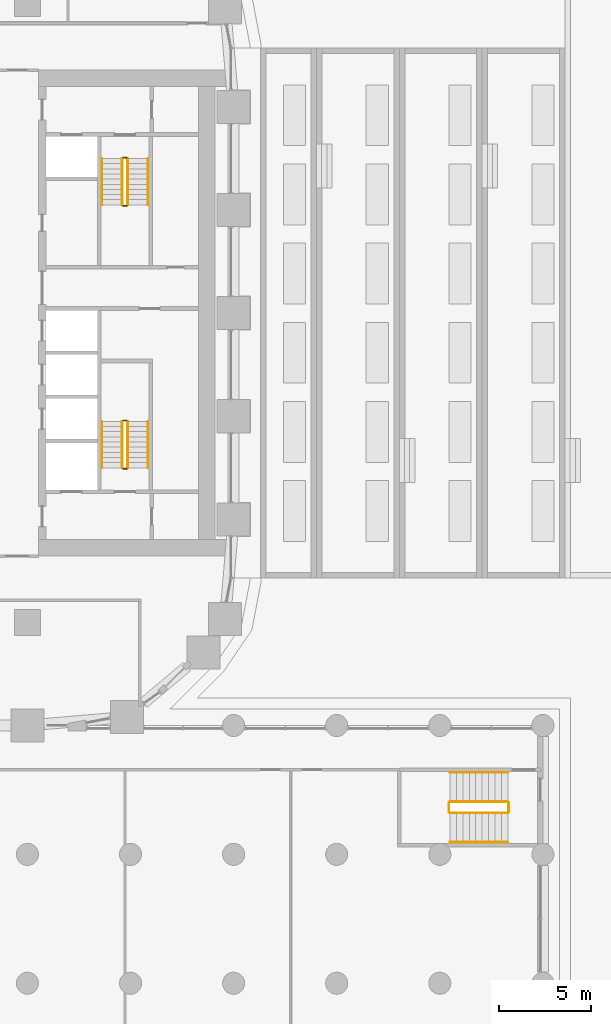
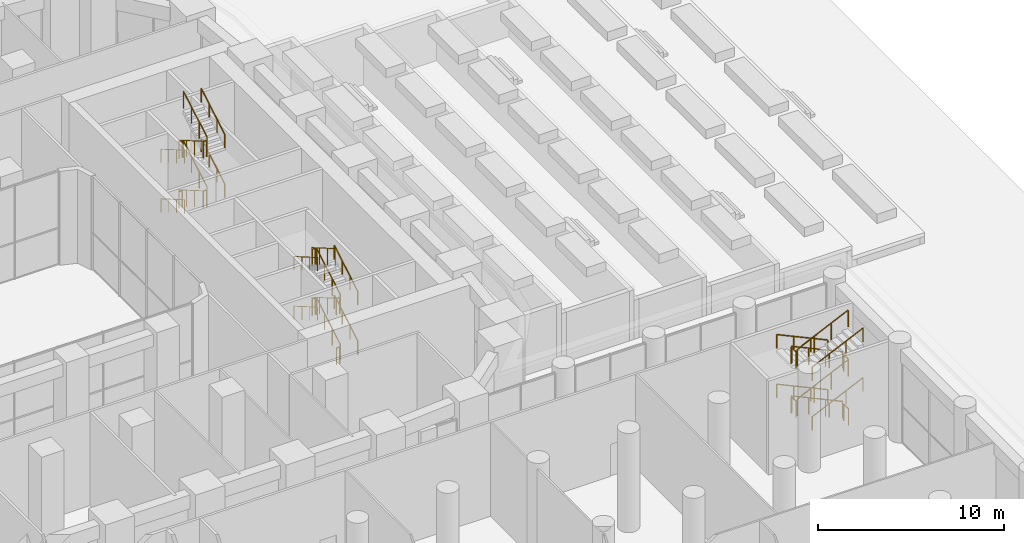
# One storey, part 50 of 51: 36 railings.
"""IFC4 building model written with IfcOpenShell, lengths in metres."""

from ifc_helpers import new_model, si_unit, direction, frame, origin, origin_2d, place, context, subcontext, project, spatial, circle, extrude, material, type_object, element, save


model = new_model("IFC4")

# Units and contexts
model_context = context("Model", 3, precision=1e-05, world=origin(), true_north=direction((0.0, 1.0)))
body_context = subcontext(model_context, "Body", "Model", "MODEL_VIEW")
ifc_project = project(units=[si_unit("LENGTHUNIT", "METRE"), si_unit("AREAUNIT", "SQUARE_METRE"), si_unit("VOLUMEUNIT", "CUBIC_METRE"), si_unit("PLANEANGLEUNIT", "RADIAN"), si_unit("MASSUNIT", "GRAM", prefix="KILO")], contexts=[model_context])

# Site, building, storey
site_placement = place(None, origin())
site = spatial("IfcSite", under=ifc_project, at=site_placement, CompositionType="ELEMENT")
building_placement = place(site_placement, origin())
building = spatial("IfcBuilding", under=site, at=building_placement, Name="Kiln Ring Residences", CompositionType="ELEMENT")
storey_placement = place(building_placement, origin())
storey = spatial("IfcBuildingStorey", under=building, at=storey_placement, Name="L00", CompositionType="ELEMENT", Elevation=0.0)

# Railings
ifc_material_1 = material(Name="Stainless steel", Category="steel")
railing_type_1 = type_object("IfcRailingType", Name="CORE-STAIR-GUARD", PredefinedType="GUARDRAIL", material=ifc_material_1)
railing_1_placement = place(storey_placement, frame((21.949951171875, 8.39990234375, 0.16259765625)))
element("IfcRailing", 1, at=railing_1_placement, inside=storey, type_object=railing_type_1, Name="L00 E-STN stair guard 1", PredefinedType="GUARDRAIL", context=body_context, shape_type="SweptSolid", body=[
    extrude(circle(Radius=0.02392578125, at=origin_2d()), frame((0.0, 0.0, 1.076171875), z_axis=(0.0, -0.864913338283, 0.50192122615), x_axis=(1.0, 0.0, 0.0)), (0.0, 0.0, 1.0), 2.91357421875),
    extrude(circle(Radius=0.02099609375, at=origin_2d()), origin(), (0.0, 0.0, 1.0), 1.052001953125),
    extrude(circle(Radius=0.02099609375, at=origin_2d()), frame((0.0, -0.840087890625, 0.487548828125)), (0.0, 0.0, 1.0), 1.052001953125),
    extrude(circle(Radius=0.02099609375, at=origin_2d()), frame((0.0, -1.679931640625, 0.974853515625)), (0.0, 0.0, 1.0), 1.052001953125),
    extrude(circle(Radius=0.02099609375, at=origin_2d()), frame((0.0, -2.52001953125, 1.46240234375)), (0.0, 0.0, 1.0), 1.052001953125),
])
railing_2_placement = place(storey_placement, frame((22.0, 5.830078125, 1.625)))
element("IfcRailing", 2, at=railing_2_placement, inside=storey, type_object=railing_type_1, Name="L00 E-STN stair guard 2", PredefinedType="GUARDRAIL", context=body_context, shape_type="SweptSolid", body=[
    extrude(circle(Radius=0.02392578125, at=origin_2d()), frame((0.0, 0.0, 1.076171875), z_axis=(1.0, 0.0, 0.0), x_axis=(0.0, 1.0, 0.0)), (0.0, 0.0, 1.0), 0.199951171875),
    extrude(circle(Radius=0.02099609375, at=origin_2d()), origin(), (0.0, 0.0, 1.0), 1.052001953125),
    extrude(circle(Radius=0.02099609375, at=origin_2d()), frame((0.199951171875, 0.0, 0.0)), (0.0, 0.0, 1.0), 1.052001953125),
])
railing_3_placement = place(storey_placement, frame((22.25, 5.8798828125, 1.78759765625)))
element("IfcRailing", 3, at=railing_3_placement, inside=storey, type_object=railing_type_1, Name="L00 E-STN stair guard 3", PredefinedType="GUARDRAIL", context=body_context, shape_type="SweptSolid", body=[
    extrude(circle(Radius=0.02392578125, at=origin_2d()), frame((0.0, 0.0, 1.076171875), z_axis=(0.0, 0.864913338283, 0.50192122615), x_axis=(-1.0, 0.0, 0.0)), (0.0, 0.0, 1.0), 2.91357421875),
    extrude(circle(Radius=0.02099609375, at=origin_2d()), origin(), (0.0, 0.0, 1.0), 1.052001953125),
    extrude(circle(Radius=0.02099609375, at=origin_2d()), frame((0.0, 0.840087890625, 0.487548828125)), (0.0, 0.0, 1.0), 1.052001953125),
    extrude(circle(Radius=0.02099609375, at=origin_2d()), frame((0.0, 1.679931640625, 0.974853515625)), (0.0, 0.0, 1.0), 1.052001953125),
    extrude(circle(Radius=0.02099609375, at=origin_2d()), frame((0.0, 2.52001953125, 1.46240234375)), (0.0, 0.0, 1.0), 1.052001953125),
])
railing_4_placement = place(storey_placement, frame((22.0, 8.449951171875, 3.25)))
element("IfcRailing", 4, at=railing_4_placement, inside=storey, type_object=railing_type_1, Name="L00 E-STN stair guard 4", PredefinedType="GUARDRAIL", context=body_context, shape_type="SweptSolid", body=[
    extrude(circle(Radius=0.02392578125, at=origin_2d()), frame((0.0, 0.0, 1.076171875), z_axis=(1.0, 0.0, 0.0), x_axis=(0.0, 1.0, 0.0)), (0.0, 0.0, 1.0), 0.199951171875),
    extrude(circle(Radius=0.02099609375, at=origin_2d()), origin(), (0.0, 0.0, 1.0), 1.052001953125),
    extrude(circle(Radius=0.02099609375, at=origin_2d()), frame((0.199951171875, 0.0, 0.0)), (0.0, 0.0, 1.0), 1.052001953125),
])
railing_5_placement = place(storey_placement, frame((21.949951171875, 8.39990234375, 3.41259765625)))
element("IfcRailing", 5, at=railing_5_placement, inside=storey, type_object=railing_type_1, Name="L00 E-STN stair guard 5", PredefinedType="GUARDRAIL", context=body_context, shape_type="SweptSolid", body=[
    extrude(circle(Radius=0.02392578125, at=origin_2d()), frame((0.0, 0.0, 1.076171875), z_axis=(0.0, -0.864913338283, 0.50192122615), x_axis=(1.0, 0.0, 0.0)), (0.0, 0.0, 1.0), 2.91357421875),
    extrude(circle(Radius=0.02099609375, at=origin_2d()), origin(), (0.0, 0.0, 1.0), 1.052001953125),
    extrude(circle(Radius=0.02099609375, at=origin_2d()), frame((0.0, -0.840087890625, 0.487548828125)), (0.0, 0.0, 1.0), 1.052001953125),
    extrude(circle(Radius=0.02099609375, at=origin_2d()), frame((0.0, -1.679931640625, 0.974853515625)), (0.0, 0.0, 1.0), 1.052001953125),
    extrude(circle(Radius=0.02099609375, at=origin_2d()), frame((0.0, -2.52001953125, 1.46240234375)), (0.0, 0.0, 1.0), 1.052001953125),
])
railing_6_placement = place(storey_placement, frame((22.0, 5.830078125, 4.875)))
element("IfcRailing", 6, at=railing_6_placement, inside=storey, type_object=railing_type_1, Name="L00 E-STN stair guard 6", PredefinedType="GUARDRAIL", context=body_context, shape_type="SweptSolid", body=[
    extrude(circle(Radius=0.02392578125, at=origin_2d()), frame((0.0, 0.0, 1.076171875), z_axis=(1.0, 0.0, 0.0), x_axis=(0.0, 1.0, 0.0)), (0.0, 0.0, 1.0), 0.199951171875),
    extrude(circle(Radius=0.02099609375, at=origin_2d()), origin(), (0.0, 0.0, 1.0), 1.052001953125),
    extrude(circle(Radius=0.02099609375, at=origin_2d()), frame((0.199951171875, 0.0, 0.0)), (0.0, 0.0, 1.0), 1.052001953125),
])
railing_7_placement = place(storey_placement, frame((22.25, 5.8798828125, 5.03759765625)))
element("IfcRailing", 7, at=railing_7_placement, inside=storey, type_object=railing_type_1, Name="L00 E-STN stair guard 7", PredefinedType="GUARDRAIL", context=body_context, shape_type="SweptSolid", body=[
    extrude(circle(Radius=0.02392578125, at=origin_2d()), frame((0.0, 0.0, 1.076171875), z_axis=(0.0, 0.864913338283, 0.50192122615), x_axis=(-1.0, 0.0, 0.0)), (0.0, 0.0, 1.0), 2.91357421875),
    extrude(circle(Radius=0.02099609375, at=origin_2d()), origin(), (0.0, 0.0, 1.0), 1.052001953125),
    extrude(circle(Radius=0.02099609375, at=origin_2d()), frame((0.0, 0.840087890625, 0.487548828125)), (0.0, 0.0, 1.0), 1.052001953125),
    extrude(circle(Radius=0.02099609375, at=origin_2d()), frame((0.0, 1.679931640625, 0.974853515625)), (0.0, 0.0, 1.0), 1.052001953125),
    extrude(circle(Radius=0.02099609375, at=origin_2d()), frame((0.0, 2.52001953125, 1.46240234375)), (0.0, 0.0, 1.0), 1.052001953125),
])
railing_8_placement = place(storey_placement, frame((22.0, 8.449951171875, 0.0)))
element("IfcRailing", 8, at=railing_8_placement, inside=storey, type_object=railing_type_1, Name="L00 E-STN stair guard 8", PredefinedType="GUARDRAIL", context=body_context, shape_type="SweptSolid", body=[
    extrude(circle(Radius=0.02392578125, at=origin_2d()), frame((0.0, 0.0, 1.076171875), z_axis=(1.0, 0.0, 0.0), x_axis=(0.0, 1.0, 0.0)), (0.0, 0.0, 1.0), 0.199951171875),
    extrude(circle(Radius=0.02099609375, at=origin_2d()), origin(), (0.0, 0.0, 1.0), 1.052001953125),
    extrude(circle(Radius=0.02099609375, at=origin_2d()), frame((0.199951171875, 0.0, 0.0)), (0.0, 0.0, 1.0), 1.052001953125),
])
railing_9_placement = place(storey_placement, frame((22.25, -8.39990234375, 0.16259765625)))
element("IfcRailing", 9, at=railing_9_placement, inside=storey, type_object=railing_type_1, Name="L00 E-STS stair guard 1", PredefinedType="GUARDRAIL", context=body_context, shape_type="SweptSolid", body=[
    extrude(circle(Radius=0.02392578125, at=origin_2d()), frame((0.0, 0.0, 1.076171875), z_axis=(0.0, 0.864913338283, 0.50192122615), x_axis=(-1.0, 0.0, 0.0)), (0.0, 0.0, 1.0), 2.91357421875),
    extrude(circle(Radius=0.02099609375, at=origin_2d()), origin(), (0.0, 0.0, 1.0), 1.052001953125),
    extrude(circle(Radius=0.02099609375, at=origin_2d()), frame((0.0, 0.840087890625, 0.487548828125)), (0.0, 0.0, 1.0), 1.052001953125),
    extrude(circle(Radius=0.02099609375, at=origin_2d()), frame((0.0, 1.679931640625, 0.974853515625)), (0.0, 0.0, 1.0), 1.052001953125),
    extrude(circle(Radius=0.02099609375, at=origin_2d()), frame((0.0, 2.52001953125, 1.46240234375)), (0.0, 0.0, 1.0), 1.052001953125),
])
railing_10_placement = place(storey_placement, frame((22.199951171875, -5.830078125, 1.625)))
element("IfcRailing", 10, at=railing_10_placement, inside=storey, type_object=railing_type_1, Name="L00 E-STS stair guard 2", PredefinedType="GUARDRAIL", context=body_context, shape_type="SweptSolid", body=[
    extrude(circle(Radius=0.02392578125, at=origin_2d()), frame((0.0, 0.0, 1.076171875), z_axis=(-1.0, 0.0, 0.0), x_axis=(0.0, -1.0, 0.0)), (0.0, 0.0, 1.0), 0.199951171875),
    extrude(circle(Radius=0.02099609375, at=origin_2d()), origin(), (0.0, 0.0, 1.0), 1.052001953125),
    extrude(circle(Radius=0.02099609375, at=origin_2d()), frame((-0.199951171875, 0.0, 0.0)), (0.0, 0.0, 1.0), 1.052001953125),
])
railing_11_placement = place(storey_placement, frame((21.949951171875, -5.8798828125, 1.78759765625)))
element("IfcRailing", 11, at=railing_11_placement, inside=storey, type_object=railing_type_1, Name="L00 E-STS stair guard 3", PredefinedType="GUARDRAIL", context=body_context, shape_type="SweptSolid", body=[
    extrude(circle(Radius=0.02392578125, at=origin_2d()), frame((0.0, 0.0, 1.076171875), z_axis=(0.0, -0.864913338283, 0.50192122615), x_axis=(1.0, 0.0, 0.0)), (0.0, 0.0, 1.0), 2.91357421875),
    extrude(circle(Radius=0.02099609375, at=origin_2d()), origin(), (0.0, 0.0, 1.0), 1.052001953125),
    extrude(circle(Radius=0.02099609375, at=origin_2d()), frame((0.0, -0.840087890625, 0.487548828125)), (0.0, 0.0, 1.0), 1.052001953125),
    extrude(circle(Radius=0.02099609375, at=origin_2d()), frame((0.0, -1.679931640625, 0.974853515625)), (0.0, 0.0, 1.0), 1.052001953125),
    extrude(circle(Radius=0.02099609375, at=origin_2d()), frame((0.0, -2.52001953125, 1.46240234375)), (0.0, 0.0, 1.0), 1.052001953125),
])
railing_12_placement = place(storey_placement, frame((22.199951171875, -8.449951171875, 3.25)))
element("IfcRailing", 12, at=railing_12_placement, inside=storey, type_object=railing_type_1, Name="L00 E-STS stair guard 4", PredefinedType="GUARDRAIL", context=body_context, shape_type="SweptSolid", body=[
    extrude(circle(Radius=0.02392578125, at=origin_2d()), frame((0.0, 0.0, 1.076171875), z_axis=(-1.0, 0.0, 0.0), x_axis=(0.0, -1.0, 0.0)), (0.0, 0.0, 1.0), 0.199951171875),
    extrude(circle(Radius=0.02099609375, at=origin_2d()), origin(), (0.0, 0.0, 1.0), 1.052001953125),
    extrude(circle(Radius=0.02099609375, at=origin_2d()), frame((-0.199951171875, 0.0, 0.0)), (0.0, 0.0, 1.0), 1.052001953125),
])
railing_13_placement = place(storey_placement, frame((22.25, -8.39990234375, 3.41259765625)))
element("IfcRailing", 13, at=railing_13_placement, inside=storey, type_object=railing_type_1, Name="L00 E-STS stair guard 5", PredefinedType="GUARDRAIL", context=body_context, shape_type="SweptSolid", body=[
    extrude(circle(Radius=0.02392578125, at=origin_2d()), frame((0.0, 0.0, 1.076171875), z_axis=(0.0, 0.864913338283, 0.50192122615), x_axis=(-1.0, 0.0, 0.0)), (0.0, 0.0, 1.0), 2.91357421875),
    extrude(circle(Radius=0.02099609375, at=origin_2d()), origin(), (0.0, 0.0, 1.0), 1.052001953125),
    extrude(circle(Radius=0.02099609375, at=origin_2d()), frame((0.0, 0.840087890625, 0.487548828125)), (0.0, 0.0, 1.0), 1.052001953125),
    extrude(circle(Radius=0.02099609375, at=origin_2d()), frame((0.0, 1.679931640625, 0.974853515625)), (0.0, 0.0, 1.0), 1.052001953125),
    extrude(circle(Radius=0.02099609375, at=origin_2d()), frame((0.0, 2.52001953125, 1.46240234375)), (0.0, 0.0, 1.0), 1.052001953125),
])
railing_14_placement = place(storey_placement, frame((22.199951171875, -5.830078125, 4.875)))
element("IfcRailing", 14, at=railing_14_placement, inside=storey, type_object=railing_type_1, Name="L00 E-STS stair guard 6", PredefinedType="GUARDRAIL", context=body_context, shape_type="SweptSolid", body=[
    extrude(circle(Radius=0.02392578125, at=origin_2d()), frame((0.0, 0.0, 1.076171875), z_axis=(-1.0, 0.0, 0.0), x_axis=(0.0, -1.0, 0.0)), (0.0, 0.0, 1.0), 0.199951171875),
    extrude(circle(Radius=0.02099609375, at=origin_2d()), origin(), (0.0, 0.0, 1.0), 1.052001953125),
    extrude(circle(Radius=0.02099609375, at=origin_2d()), frame((-0.199951171875, 0.0, 0.0)), (0.0, 0.0, 1.0), 1.052001953125),
])
railing_15_placement = place(storey_placement, frame((21.949951171875, -5.8798828125, 5.03759765625)))
element("IfcRailing", 15, at=railing_15_placement, inside=storey, type_object=railing_type_1, Name="L00 E-STS stair guard 7", PredefinedType="GUARDRAIL", context=body_context, shape_type="SweptSolid", body=[
    extrude(circle(Radius=0.02392578125, at=origin_2d()), frame((0.0, 0.0, 1.076171875), z_axis=(0.0, -0.864913338283, 0.50192122615), x_axis=(1.0, 0.0, 0.0)), (0.0, 0.0, 1.0), 2.91357421875),
    extrude(circle(Radius=0.02099609375, at=origin_2d()), origin(), (0.0, 0.0, 1.0), 1.052001953125),
    extrude(circle(Radius=0.02099609375, at=origin_2d()), frame((0.0, -0.840087890625, 0.487548828125)), (0.0, 0.0, 1.0), 1.052001953125),
    extrude(circle(Radius=0.02099609375, at=origin_2d()), frame((0.0, -1.679931640625, 0.974853515625)), (0.0, 0.0, 1.0), 1.052001953125),
    extrude(circle(Radius=0.02099609375, at=origin_2d()), frame((0.0, -2.52001953125, 1.46240234375)), (0.0, 0.0, 1.0), 1.052001953125),
])
railing_16_placement = place(storey_placement, frame((22.199951171875, -8.449951171875, 0.0)))
element("IfcRailing", 16, at=railing_16_placement, inside=storey, type_object=railing_type_1, Name="L00 E-STS stair guard 8", PredefinedType="GUARDRAIL", context=body_context, shape_type="SweptSolid", body=[
    extrude(circle(Radius=0.02392578125, at=origin_2d()), frame((0.0, 0.0, 1.076171875), z_axis=(-1.0, 0.0, 0.0), x_axis=(0.0, -1.0, 0.0)), (0.0, 0.0, 1.0), 0.199951171875),
    extrude(circle(Radius=0.02099609375, at=origin_2d()), origin(), (0.0, 0.0, 1.0), 1.052001953125),
    extrude(circle(Radius=0.02099609375, at=origin_2d()), frame((-0.199951171875, 0.0, 0.0)), (0.0, 0.0, 1.0), 1.052001953125),
])
ifc_material_2 = material(Name="Stainless steel", Category="steel")
railing_type_2 = type_object("IfcRailingType", Name="CORE-STAIR-HANDRAIL", PredefinedType="HANDRAIL", material=ifc_material_2)
railing_17_placement = place(storey_placement, frame((20.85009765625, 8.39990234375, 0.16259765625)))
element("IfcRailing", 17, at=railing_17_placement, inside=storey, type_object=railing_type_2, Name="L00 E-STN stair handrail 1", PredefinedType="HANDRAIL", context=body_context, shape_type="SweptSolid", body=[
    extrude(circle(Radius=0.02392578125, at=origin_2d()), frame((0.0, 0.0, 0.8759765625), z_axis=(0.0, -0.864913338283, 0.50192122615), x_axis=(1.0, 0.0, 0.0)), (0.0, 0.0, 1.0), 2.91357421875),
    extrude(circle(Radius=0.02099609375, at=origin_2d()), origin(), (0.0, 0.0, 1.0), 0.851806640625),
    extrude(circle(Radius=0.02099609375, at=origin_2d()), frame((0.0, -0.840087890625, 0.487548828125)), (0.0, 0.0, 1.0), 0.851806640625),
    extrude(circle(Radius=0.02099609375, at=origin_2d()), frame((0.0, -1.679931640625, 0.974853515625)), (0.0, 0.0, 1.0), 0.851806640625),
    extrude(circle(Radius=0.02099609375, at=origin_2d()), frame((0.0, -2.52001953125, 1.46240234375)), (0.0, 0.0, 1.0), 0.851806640625),
])
railing_18_placement = place(storey_placement, frame((23.35009765625, 5.8798828125, 1.78759765625)))
element("IfcRailing", 18, at=railing_18_placement, inside=storey, type_object=railing_type_2, Name="L00 E-STN stair handrail 2", PredefinedType="HANDRAIL", context=body_context, shape_type="SweptSolid", body=[
    extrude(circle(Radius=0.02392578125, at=origin_2d()), frame((0.0, 0.0, 0.8759765625), z_axis=(0.0, 0.864913338283, 0.50192122615), x_axis=(-1.0, 0.0, 0.0)), (0.0, 0.0, 1.0), 2.91357421875),
    extrude(circle(Radius=0.02099609375, at=origin_2d()), origin(), (0.0, 0.0, 1.0), 0.851806640625),
    extrude(circle(Radius=0.02099609375, at=origin_2d()), frame((0.0, 0.840087890625, 0.487548828125)), (0.0, 0.0, 1.0), 0.851806640625),
    extrude(circle(Radius=0.02099609375, at=origin_2d()), frame((0.0, 1.679931640625, 0.974853515625)), (0.0, 0.0, 1.0), 0.851806640625),
    extrude(circle(Radius=0.02099609375, at=origin_2d()), frame((0.0, 2.52001953125, 1.46240234375)), (0.0, 0.0, 1.0), 0.851806640625),
])
railing_19_placement = place(storey_placement, frame((20.85009765625, 8.39990234375, 3.41259765625)))
element("IfcRailing", 19, at=railing_19_placement, inside=storey, type_object=railing_type_2, Name="L00 E-STN stair handrail 3", PredefinedType="HANDRAIL", context=body_context, shape_type="SweptSolid", body=[
    extrude(circle(Radius=0.02392578125, at=origin_2d()), frame((0.0, 0.0, 0.8759765625), z_axis=(0.0, -0.864913338283, 0.50192122615), x_axis=(1.0, 0.0, 0.0)), (0.0, 0.0, 1.0), 2.91357421875),
    extrude(circle(Radius=0.02099609375, at=origin_2d()), origin(), (0.0, 0.0, 1.0), 0.851806640625),
    extrude(circle(Radius=0.02099609375, at=origin_2d()), frame((0.0, -0.840087890625, 0.487548828125)), (0.0, 0.0, 1.0), 0.851806640625),
    extrude(circle(Radius=0.02099609375, at=origin_2d()), frame((0.0, -1.679931640625, 0.974853515625)), (0.0, 0.0, 1.0), 0.851806640625),
    extrude(circle(Radius=0.02099609375, at=origin_2d()), frame((0.0, -2.52001953125, 1.46240234375)), (0.0, 0.0, 1.0), 0.851806640625),
])
for number, where, name in (
    (20, (23.35009765625, 5.8798828125, 5.03759765625), "L00 E-STN stair handrail 4"),
    (21, (23.35009765625, -8.39990234375, 0.16259765625), "L00 E-STS stair handrail 1"),
):
    element("IfcRailing", number, at=place(storey_placement, frame(where)), inside=storey, type_object=railing_type_2, Name=name, PredefinedType="HANDRAIL", context=body_context, shape_type="SweptSolid", body=[
        extrude(circle(Radius=0.02392578125, at=origin_2d()), frame((0.0, 0.0, 0.8759765625), z_axis=(0.0, 0.864913338283, 0.50192122615), x_axis=(-1.0, 0.0, 0.0)), (0.0, 0.0, 1.0), 2.91357421875),
        extrude(circle(Radius=0.02099609375, at=origin_2d()), origin(), (0.0, 0.0, 1.0), 0.851806640625),
        extrude(circle(Radius=0.02099609375, at=origin_2d()), frame((0.0, 0.840087890625, 0.487548828125)), (0.0, 0.0, 1.0), 0.851806640625),
        extrude(circle(Radius=0.02099609375, at=origin_2d()), frame((0.0, 1.679931640625, 0.974853515625)), (0.0, 0.0, 1.0), 0.851806640625),
        extrude(circle(Radius=0.02099609375, at=origin_2d()), frame((0.0, 2.52001953125, 1.46240234375)), (0.0, 0.0, 1.0), 0.851806640625),
    ])
railing_20_placement = place(storey_placement, frame((20.85009765625, -5.8798828125, 1.78759765625)))
element("IfcRailing", 22, at=railing_20_placement, inside=storey, type_object=railing_type_2, Name="L00 E-STS stair handrail 2", PredefinedType="HANDRAIL", context=body_context, shape_type="SweptSolid", body=[
    extrude(circle(Radius=0.02392578125, at=origin_2d()), frame((0.0, 0.0, 0.8759765625), z_axis=(0.0, -0.864913338283, 0.50192122615), x_axis=(1.0, 0.0, 0.0)), (0.0, 0.0, 1.0), 2.91357421875),
    extrude(circle(Radius=0.02099609375, at=origin_2d()), origin(), (0.0, 0.0, 1.0), 0.851806640625),
    extrude(circle(Radius=0.02099609375, at=origin_2d()), frame((0.0, -0.840087890625, 0.487548828125)), (0.0, 0.0, 1.0), 0.851806640625),
    extrude(circle(Radius=0.02099609375, at=origin_2d()), frame((0.0, -1.679931640625, 0.974853515625)), (0.0, 0.0, 1.0), 0.851806640625),
    extrude(circle(Radius=0.02099609375, at=origin_2d()), frame((0.0, -2.52001953125, 1.46240234375)), (0.0, 0.0, 1.0), 0.851806640625),
])
railing_21_placement = place(storey_placement, frame((23.35009765625, -8.39990234375, 3.41259765625)))
element("IfcRailing", 23, at=railing_21_placement, inside=storey, type_object=railing_type_2, Name="L00 E-STS stair handrail 3", PredefinedType="HANDRAIL", context=body_context, shape_type="SweptSolid", body=[
    extrude(circle(Radius=0.02392578125, at=origin_2d()), frame((0.0, 0.0, 0.8759765625), z_axis=(0.0, 0.864913338283, 0.50192122615), x_axis=(-1.0, 0.0, 0.0)), (0.0, 0.0, 1.0), 2.91357421875),
    extrude(circle(Radius=0.02099609375, at=origin_2d()), origin(), (0.0, 0.0, 1.0), 0.851806640625),
    extrude(circle(Radius=0.02099609375, at=origin_2d()), frame((0.0, 0.840087890625, 0.487548828125)), (0.0, 0.0, 1.0), 0.851806640625),
    extrude(circle(Radius=0.02099609375, at=origin_2d()), frame((0.0, 1.679931640625, 0.974853515625)), (0.0, 0.0, 1.0), 0.851806640625),
    extrude(circle(Radius=0.02099609375, at=origin_2d()), frame((0.0, 2.52001953125, 1.46240234375)), (0.0, 0.0, 1.0), 0.851806640625),
])
railing_22_placement = place(storey_placement, frame((20.85009765625, -5.8798828125, 5.03759765625)))
element("IfcRailing", 24, at=railing_22_placement, inside=storey, type_object=railing_type_2, Name="L00 E-STS stair handrail 4", PredefinedType="HANDRAIL", context=body_context, shape_type="SweptSolid", body=[
    extrude(circle(Radius=0.02392578125, at=origin_2d()), frame((0.0, 0.0, 0.8759765625), z_axis=(0.0, -0.864913338283, 0.50192122615), x_axis=(1.0, 0.0, 0.0)), (0.0, 0.0, 1.0), 2.91357421875),
    extrude(circle(Radius=0.02099609375, at=origin_2d()), origin(), (0.0, 0.0, 1.0), 0.851806640625),
    extrude(circle(Radius=0.02099609375, at=origin_2d()), frame((0.0, -0.840087890625, 0.487548828125)), (0.0, 0.0, 1.0), 0.851806640625),
    extrude(circle(Radius=0.02099609375, at=origin_2d()), frame((0.0, -1.679931640625, 0.974853515625)), (0.0, 0.0, 1.0), 0.851806640625),
    extrude(circle(Radius=0.02099609375, at=origin_2d()), frame((0.0, -2.52001953125, 1.46240234375)), (0.0, 0.0, 1.0), 0.851806640625),
])
ifc_material_3 = material(Name="Stainless steel", Category="steel")
railing_type_3 = type_object("IfcRailingType", Name="PODIUM-STAIR-GUARD", PredefinedType="GUARDRAIL", material=ifc_material_3)
railing_23_placement = place(storey_placement, frame((42.89990234375, -26.550048828125, 0.16259765625)))
element("IfcRailing", 25, at=railing_23_placement, inside=storey, type_object=railing_type_3, Name="L00 PS-E stair guard 1", PredefinedType="GUARDRAIL", context=body_context, shape_type="SweptSolid", body=[
    extrude(circle(Radius=0.02392578125, at=origin_2d()), frame((0.0, 0.0, 1.076171875), z_axis=(-0.90701472152, 0.0, 0.421098913494), x_axis=(0.0, -1.0, 0.0)), (0.0, 0.0, 1.0), 3.472900390625),
    extrude(circle(Radius=0.02099609375, at=origin_2d()), origin(), (0.0, 0.0, 1.0), 1.052001953125),
    extrude(circle(Radius=0.02099609375, at=origin_2d()), frame((-1.050048828125, 0.0, 0.487548828125)), (0.0, 0.0, 1.0), 1.052001953125),
    extrude(circle(Radius=0.02099609375, at=origin_2d()), frame((-2.099853515625, 0.0, 0.974853515625)), (0.0, 0.0, 1.0), 1.052001953125),
    extrude(circle(Radius=0.02099609375, at=origin_2d()), frame((-3.14990234375, 0.0, 1.46240234375)), (0.0, 0.0, 1.0), 1.052001953125),
])
railing_24_placement = place(storey_placement, frame((39.699951171875, -26.60009765625, 1.625)))
element("IfcRailing", 26, at=railing_24_placement, inside=storey, type_object=railing_type_3, Name="L00 PS-E stair guard 2", PredefinedType="GUARDRAIL", context=body_context, shape_type="SweptSolid", body=[
    extrude(circle(Radius=0.02392578125, at=origin_2d()), frame((0.0, 0.0, 1.076171875), z_axis=(0.0, -1.0, 0.0), x_axis=(1.0, 0.0, 0.0)), (0.0, 0.0, 1.0), 0.5),
    extrude(circle(Radius=0.02099609375, at=origin_2d()), origin(), (0.0, 0.0, 1.0), 1.052001953125),
    extrude(circle(Radius=0.02099609375, at=origin_2d()), frame((0.0, -0.5, 0.0)), (0.0, 0.0, 1.0), 1.052001953125),
])
railing_25_placement = place(storey_placement, frame((39.75, -27.14990234375, 1.78759765625)))
element("IfcRailing", 27, at=railing_25_placement, inside=storey, type_object=railing_type_3, Name="L00 PS-E stair guard 3", PredefinedType="GUARDRAIL", context=body_context, shape_type="SweptSolid", body=[
    extrude(circle(Radius=0.02392578125, at=origin_2d()), frame((0.0, 0.0, 1.076171875), z_axis=(0.90701472152, 0.0, 0.421098913494), x_axis=(0.0, 1.0, 0.0)), (0.0, 0.0, 1.0), 3.472900390625),
    extrude(circle(Radius=0.02099609375, at=origin_2d()), origin(), (0.0, 0.0, 1.0), 1.052001953125),
    extrude(circle(Radius=0.02099609375, at=origin_2d()), frame((1.050048828125, 0.0, 0.487548828125)), (0.0, 0.0, 1.0), 1.052001953125),
    extrude(circle(Radius=0.02099609375, at=origin_2d()), frame((2.099853515625, 0.0, 0.974853515625)), (0.0, 0.0, 1.0), 1.052001953125),
    extrude(circle(Radius=0.02099609375, at=origin_2d()), frame((3.14990234375, 0.0, 1.46240234375)), (0.0, 0.0, 1.0), 1.052001953125),
])
railing_26_placement = place(storey_placement, frame((42.949951171875, -26.60009765625, 3.25)))
element("IfcRailing", 28, at=railing_26_placement, inside=storey, type_object=railing_type_3, Name="L00 PS-E stair guard 4", PredefinedType="GUARDRAIL", context=body_context, shape_type="SweptSolid", body=[
    extrude(circle(Radius=0.02392578125, at=origin_2d()), frame((0.0, 0.0, 1.076171875), z_axis=(0.0, -1.0, 0.0), x_axis=(1.0, 0.0, 0.0)), (0.0, 0.0, 1.0), 0.5),
    extrude(circle(Radius=0.02099609375, at=origin_2d()), origin(), (0.0, 0.0, 1.0), 1.052001953125),
    extrude(circle(Radius=0.02099609375, at=origin_2d()), frame((0.0, -0.5, 0.0)), (0.0, 0.0, 1.0), 1.052001953125),
])
railing_27_placement = place(storey_placement, frame((42.89990234375, -26.550048828125, 3.41259765625)))
element("IfcRailing", 29, at=railing_27_placement, inside=storey, type_object=railing_type_3, Name="L00 PS-E stair guard 5", PredefinedType="GUARDRAIL", context=body_context, shape_type="SweptSolid", body=[
    extrude(circle(Radius=0.02392578125, at=origin_2d()), frame((0.0, 0.0, 1.076171875), z_axis=(-0.90701472152, 0.0, 0.421098913494), x_axis=(0.0, -1.0, 0.0)), (0.0, 0.0, 1.0), 3.472900390625),
    extrude(circle(Radius=0.02099609375, at=origin_2d()), origin(), (0.0, 0.0, 1.0), 1.052001953125),
    extrude(circle(Radius=0.02099609375, at=origin_2d()), frame((-1.050048828125, 0.0, 0.487548828125)), (0.0, 0.0, 1.0), 1.052001953125),
    extrude(circle(Radius=0.02099609375, at=origin_2d()), frame((-2.099853515625, 0.0, 0.974853515625)), (0.0, 0.0, 1.0), 1.052001953125),
    extrude(circle(Radius=0.02099609375, at=origin_2d()), frame((-3.14990234375, 0.0, 1.46240234375)), (0.0, 0.0, 1.0), 1.052001953125),
])
railing_28_placement = place(storey_placement, frame((39.699951171875, -26.60009765625, 4.875)))
element("IfcRailing", 30, at=railing_28_placement, inside=storey, type_object=railing_type_3, Name="L00 PS-E stair guard 6", PredefinedType="GUARDRAIL", context=body_context, shape_type="SweptSolid", body=[
    extrude(circle(Radius=0.02392578125, at=origin_2d()), frame((0.0, 0.0, 1.076171875), z_axis=(0.0, -1.0, 0.0), x_axis=(1.0, 0.0, 0.0)), (0.0, 0.0, 1.0), 0.5),
    extrude(circle(Radius=0.02099609375, at=origin_2d()), origin(), (0.0, 0.0, 1.0), 1.052001953125),
    extrude(circle(Radius=0.02099609375, at=origin_2d()), frame((0.0, -0.5, 0.0)), (0.0, 0.0, 1.0), 1.052001953125),
])
railing_29_placement = place(storey_placement, frame((39.75, -27.14990234375, 5.03759765625)))
element("IfcRailing", 31, at=railing_29_placement, inside=storey, type_object=railing_type_3, Name="L00 PS-E stair guard 7", PredefinedType="GUARDRAIL", context=body_context, shape_type="SweptSolid", body=[
    extrude(circle(Radius=0.02392578125, at=origin_2d()), frame((0.0, 0.0, 1.076171875), z_axis=(0.90701472152, 0.0, 0.421098913494), x_axis=(0.0, 1.0, 0.0)), (0.0, 0.0, 1.0), 3.472900390625),
    extrude(circle(Radius=0.02099609375, at=origin_2d()), origin(), (0.0, 0.0, 1.0), 1.052001953125),
    extrude(circle(Radius=0.02099609375, at=origin_2d()), frame((1.050048828125, 0.0, 0.487548828125)), (0.0, 0.0, 1.0), 1.052001953125),
    extrude(circle(Radius=0.02099609375, at=origin_2d()), frame((2.099853515625, 0.0, 0.974853515625)), (0.0, 0.0, 1.0), 1.052001953125),
    extrude(circle(Radius=0.02099609375, at=origin_2d()), frame((3.14990234375, 0.0, 1.46240234375)), (0.0, 0.0, 1.0), 1.052001953125),
])
railing_30_placement = place(storey_placement, frame((42.949951171875, -26.60009765625, 0.0)))
element("IfcRailing", 32, at=railing_30_placement, inside=storey, type_object=railing_type_3, Name="L00 PS-E stair guard 8", PredefinedType="GUARDRAIL", context=body_context, shape_type="SweptSolid", body=[
    extrude(circle(Radius=0.02392578125, at=origin_2d()), frame((0.0, 0.0, 1.076171875), z_axis=(0.0, -1.0, 0.0), x_axis=(1.0, 0.0, 0.0)), (0.0, 0.0, 1.0), 0.5),
    extrude(circle(Radius=0.02099609375, at=origin_2d()), origin(), (0.0, 0.0, 1.0), 1.052001953125),
    extrude(circle(Radius=0.02099609375, at=origin_2d()), frame((0.0, -0.5, 0.0)), (0.0, 0.0, 1.0), 1.052001953125),
])
ifc_material_4 = material(Name="Stainless steel", Category="steel")
railing_type_4 = type_object("IfcRailingType", Name="PODIUM-STAIR-HANDRAIL", PredefinedType="HANDRAIL", material=ifc_material_4)
railing_31_placement = place(storey_placement, frame((42.89990234375, -24.949951171875, 0.16259765625)))
element("IfcRailing", 33, at=railing_31_placement, inside=storey, type_object=railing_type_4, Name="L00 PS-E stair handrail 1", PredefinedType="HANDRAIL", context=body_context, shape_type="SweptSolid", body=[
    extrude(circle(Radius=0.02392578125, at=origin_2d()), frame((0.0, 0.0, 0.8759765625), z_axis=(-0.90701472152, 0.0, 0.421098913494), x_axis=(0.0, -1.0, 0.0)), (0.0, 0.0, 1.0), 3.472900390625),
    extrude(circle(Radius=0.02099609375, at=origin_2d()), origin(), (0.0, 0.0, 1.0), 0.851806640625),
    extrude(circle(Radius=0.02099609375, at=origin_2d()), frame((-1.050048828125, 0.0, 0.487548828125)), (0.0, 0.0, 1.0), 0.851806640625),
    extrude(circle(Radius=0.02099609375, at=origin_2d()), frame((-2.099853515625, 0.0, 0.974853515625)), (0.0, 0.0, 1.0), 0.851806640625),
    extrude(circle(Radius=0.02099609375, at=origin_2d()), frame((-3.14990234375, 0.0, 1.46240234375)), (0.0, 0.0, 1.0), 0.851806640625),
])
railing_32_placement = place(storey_placement, frame((39.75, -28.75, 1.78759765625)))
element("IfcRailing", 34, at=railing_32_placement, inside=storey, type_object=railing_type_4, Name="L00 PS-E stair handrail 2", PredefinedType="HANDRAIL", context=body_context, shape_type="SweptSolid", body=[
    extrude(circle(Radius=0.02392578125, at=origin_2d()), frame((0.0, 0.0, 0.8759765625), z_axis=(0.90701472152, 0.0, 0.421098913494), x_axis=(0.0, 1.0, 0.0)), (0.0, 0.0, 1.0), 3.472900390625),
    extrude(circle(Radius=0.02099609375, at=origin_2d()), origin(), (0.0, 0.0, 1.0), 0.851806640625),
    extrude(circle(Radius=0.02099609375, at=origin_2d()), frame((1.050048828125, 0.0, 0.487548828125)), (0.0, 0.0, 1.0), 0.851806640625),
    extrude(circle(Radius=0.02099609375, at=origin_2d()), frame((2.099853515625, 0.0, 0.974853515625)), (0.0, 0.0, 1.0), 0.851806640625),
    extrude(circle(Radius=0.02099609375, at=origin_2d()), frame((3.14990234375, 0.0, 1.46240234375)), (0.0, 0.0, 1.0), 0.851806640625),
])
railing_33_placement = place(storey_placement, frame((42.89990234375, -24.949951171875, 3.41259765625)))
element("IfcRailing", 35, at=railing_33_placement, inside=storey, type_object=railing_type_4, Name="L00 PS-E stair handrail 3", PredefinedType="HANDRAIL", context=body_context, shape_type="SweptSolid", body=[
    extrude(circle(Radius=0.02392578125, at=origin_2d()), frame((0.0, 0.0, 0.8759765625), z_axis=(-0.90701472152, 0.0, 0.421098913494), x_axis=(0.0, -1.0, 0.0)), (0.0, 0.0, 1.0), 3.472900390625),
    extrude(circle(Radius=0.02099609375, at=origin_2d()), origin(), (0.0, 0.0, 1.0), 0.851806640625),
    extrude(circle(Radius=0.02099609375, at=origin_2d()), frame((-1.050048828125, 0.0, 0.487548828125)), (0.0, 0.0, 1.0), 0.851806640625),
    extrude(circle(Radius=0.02099609375, at=origin_2d()), frame((-2.099853515625, 0.0, 0.974853515625)), (0.0, 0.0, 1.0), 0.851806640625),
    extrude(circle(Radius=0.02099609375, at=origin_2d()), frame((-3.14990234375, 0.0, 1.46240234375)), (0.0, 0.0, 1.0), 0.851806640625),
])
railing_34_placement = place(storey_placement, frame((39.75, -28.75, 5.03759765625)))
element("IfcRailing", 36, at=railing_34_placement, inside=storey, type_object=railing_type_4, Name="L00 PS-E stair handrail 4", PredefinedType="HANDRAIL", context=body_context, shape_type="SweptSolid", body=[
    extrude(circle(Radius=0.02392578125, at=origin_2d()), frame((0.0, 0.0, 0.8759765625), z_axis=(0.90701472152, 0.0, 0.421098913494), x_axis=(0.0, 1.0, 0.0)), (0.0, 0.0, 1.0), 3.472900390625),
    extrude(circle(Radius=0.02099609375, at=origin_2d()), origin(), (0.0, 0.0, 1.0), 0.851806640625),
    extrude(circle(Radius=0.02099609375, at=origin_2d()), frame((1.050048828125, 0.0, 0.487548828125)), (0.0, 0.0, 1.0), 0.851806640625),
    extrude(circle(Radius=0.02099609375, at=origin_2d()), frame((2.099853515625, 0.0, 0.974853515625)), (0.0, 0.0, 1.0), 0.851806640625),
    extrude(circle(Radius=0.02099609375, at=origin_2d()), frame((3.14990234375, 0.0, 1.46240234375)), (0.0, 0.0, 1.0), 0.851806640625),
])

save(model, "model.ifc")
